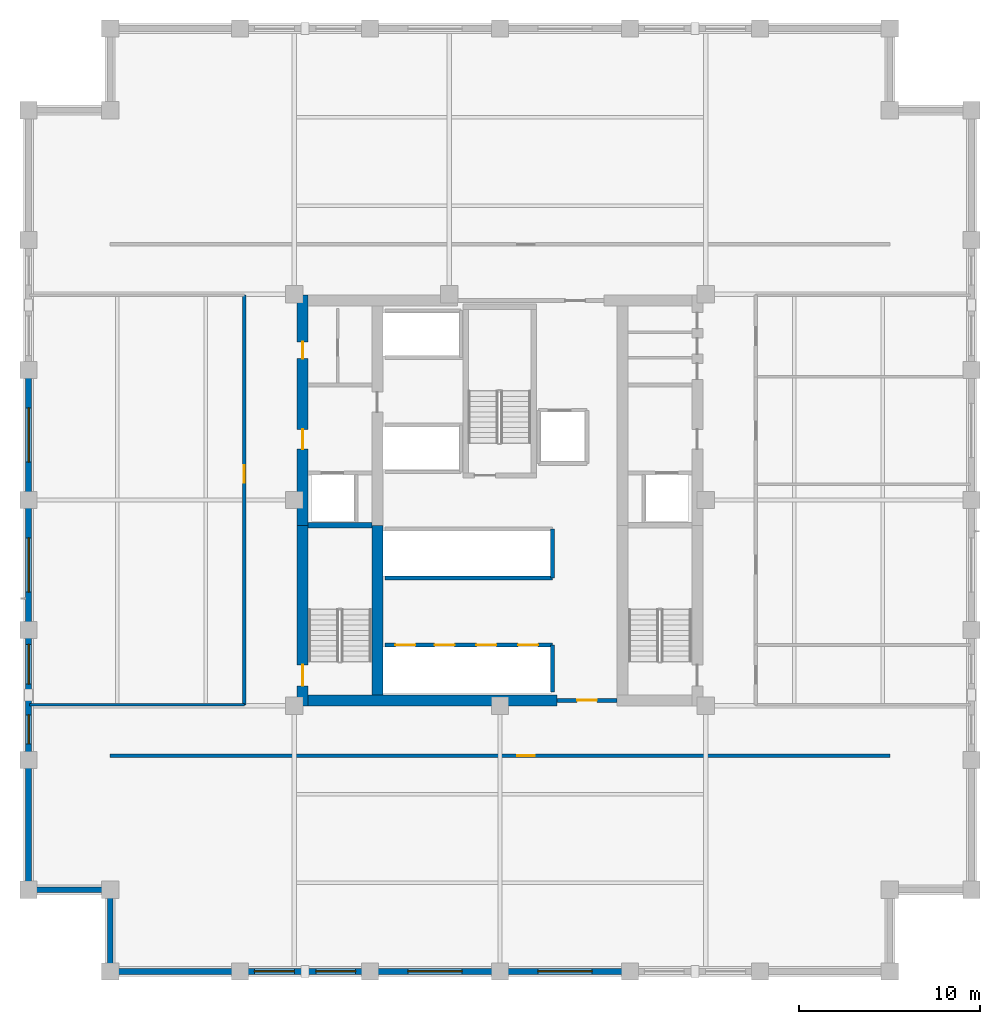
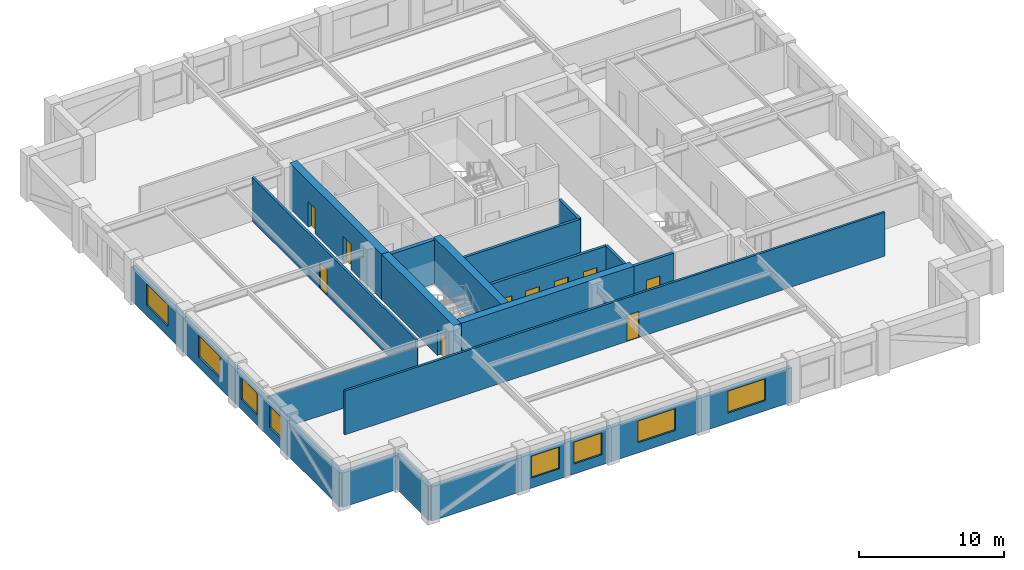
# One storey, part 5 of 9: 23 walls, 10 doors, 8 windows, 18 openings.
"""IFC4 building model written with IfcOpenShell, lengths in metres."""

from ifc_helpers import new_model, si_unit, direction, frame, frame_2d, origin, place, context, subcontext, project, spatial, rectangle, extrude, material, layer, layer_set, type_object, element, fill, save


model = new_model("IFC4")

# Units and contexts
model_context = context("Model", 3, precision=1e-05, world=origin(), true_north=direction((0.0, 1.0)))
body_context = subcontext(model_context, "Body", "Model", "MODEL_VIEW")
ifc_project = project(units=[si_unit("LENGTHUNIT", "METRE"), si_unit("AREAUNIT", "SQUARE_METRE"), si_unit("VOLUMEUNIT", "CUBIC_METRE"), si_unit("PLANEANGLEUNIT", "RADIAN"), si_unit("MASSUNIT", "GRAM", prefix="KILO")], contexts=[model_context])

# Site, building, storey
site_placement = place(None, origin())
site = spatial("IfcSite", under=ifc_project, at=site_placement, CompositionType="ELEMENT")
building_placement = place(site_placement, origin())
building = spatial("IfcBuilding", under=site, at=building_placement, Name="Nhamokura Convention Tower", CompositionType="ELEMENT")
storey_placement = place(building_placement, frame((0.0, 0.0, 149.10009765625)))
storey = spatial("IfcBuildingStorey", under=building, at=storey_placement, Name="L36", CompositionType="ELEMENT", Elevation=149.10009765625)

# Wall
ifc_material_1 = material(Name="Bronze-pigmented precast concrete C45/55", Category="concrete")
ifc_layer_1 = layer(ifc_material_1, 0.320068359375)
ifc_layer_set_1 = layer_set([ifc_layer_1], Name="BronzePrecastSpandrel_320")
wall_type_1 = type_object("IfcWallType", Name="BronzePrecastSpandrel_320", PredefinedType="USERDEFINED", material=ifc_layer_set_1)
wall_1_placement = place(storey_placement, frame((17.666748046875, 6.0, 0.0), z_axis=(0.0, 0.0, 1.0), x_axis=(-1.0, 0.0, 0.0)))
element("IfcWall", 1, at=wall_1_placement, inside=storey, type_object=wall_type_1, Name="L36 Braced-Bay Precast Wall SOUTH 0", ObjectType="SPANDREL_WALL", PredefinedType="USERDEFINED", context=body_context, shape_type="SweptSolid", body=[
    extrude(rectangle(XDim=7.166748046875, YDim=0.320068359375, at=frame_2d((3.58349609375, 0.0))), origin(), (0.0, 0.0, 1.0), 2.885009765625),
])

# Wall, openings, windows
wall_2_placement = place(storey_placement, frame((24.833251953125, 6.0, 0.0), z_axis=(0.0, 0.0, 1.0), x_axis=(-1.0, 0.0, 0.0)))
wall_2 = element("IfcWall", 2, at=wall_2_placement, inside=storey, type_object=wall_type_1, Name="L36 Masonry-Frame Wall SOUTH 1", ObjectType="SPANDREL_WALL", PredefinedType="USERDEFINED", context=body_context, shape_type="SweptSolid", body=[
    extrude(rectangle(XDim=7.16650390625, YDim=0.320068359375, at=frame_2d((3.583251953125, 0.0))), origin(), (0.0, 0.0, 1.0), 2.885009765625),
])
opening_1_placement = place(wall_2_placement, frame((0.791748046875, 0.0, 0.85009765625)))
opening_1 = element("IfcOpeningElement", 3, at=opening_1_placement, cuts=wall_2, Name="Opening W-06", PredefinedType="OPENING", context=body_context, shape_type="SweptSolid", body=[
    extrude(rectangle(XDim=2.199951171875, YDim=1.8349609375, at=frame_2d((1.10009765625, 0.91748046875))), frame((0.0, 0.169921875, 0.0), z_axis=(0.0, -1.0, 0.0), x_axis=(1.0, 0.0, 0.0)), (0.0, 0.0, 1.0), 0.340087890625),
])
opening_2_placement = place(wall_2_placement, frame((4.175048828125, 0.0, 0.85009765625)))
opening_2 = element("IfcOpeningElement", 4, at=opening_2_placement, cuts=wall_2, Name="Opening W-06", PredefinedType="OPENING", context=body_context, shape_type="SweptSolid", body=[
    extrude(rectangle(XDim=2.199951171875, YDim=1.8349609375, at=frame_2d((1.10009765625, 0.91748046875))), frame((0.0, 0.169921875, 0.0), z_axis=(0.0, -1.0, 0.0), x_axis=(1.0, 0.0, 0.0)), (0.0, 0.0, 1.0), 0.340087890625),
])
ifc_material_2 = material(Name="Solar-control bronze low-E double glass", Category="glass")
window_type_1 = type_object("IfcWindowType", Name="OfficeModuleWindow_Z2_2200", PartitioningType="SINGLE_PANEL", PredefinedType="WINDOW", material=ifc_material_2)
window_1_placement = place(opening_1_placement, origin())
window_1 = element("IfcWindow", 5, at=window_1_placement, inside=storey, type_object=window_type_1, Name="L36 Facade Window SOUTH 1-1", OverallHeight=1.8349609375, OverallWidth=2.199951171875, PartitioningType="SINGLE_PANEL", PredefinedType="WINDOW", context=body_context, shape_type="SweptSolid", body=[
    extrude(rectangle(XDim=2.199951171875, YDim=1.8349609375, at=frame_2d((1.10009765625, 0.91748046875))), frame((0.0, 0.030029296875, 0.0), z_axis=(0.0, -1.0, 0.0), x_axis=(1.0, 0.0, 0.0)), (0.0, 0.0, 1.0), 0.06005859375),
])
fill(opening_1, window_1)
window_2_placement = place(opening_2_placement, origin())
window_2 = element("IfcWindow", 6, at=window_2_placement, inside=storey, type_object=window_type_1, Name="L36 Facade Window SOUTH 1-2", OverallHeight=1.8349609375, OverallWidth=2.199951171875, PartitioningType="SINGLE_PANEL", PredefinedType="WINDOW", context=body_context, shape_type="SweptSolid", body=[
    extrude(rectangle(XDim=2.199951171875, YDim=1.8349609375, at=frame_2d((1.10009765625, 0.91748046875))), frame((0.0, 0.030029296875, 0.0), z_axis=(0.0, -1.0, 0.0), x_axis=(1.0, 0.0, 0.0)), (0.0, 0.0, 1.0), 0.06005859375),
])
fill(opening_2, window_2)

# Wall, opening, window
wall_3_placement = place(storey_placement, frame((32.0, 6.0, 0.0), z_axis=(0.0, 0.0, 1.0), x_axis=(-1.0, 0.0, 0.0)))
wall_3 = element("IfcWall", 7, at=wall_3_placement, inside=storey, type_object=wall_type_1, Name="L36 Masonry-Frame Wall SOUTH 2", ObjectType="SPANDREL_WALL", PredefinedType="USERDEFINED", context=body_context, shape_type="SweptSolid", body=[
    extrude(rectangle(XDim=7.166748046875, YDim=0.320068359375, at=frame_2d((3.58349609375, 0.0))), origin(), (0.0, 0.0, 1.0), 2.885009765625),
])
opening_3_placement = place(wall_3_placement, frame((2.083251953125, 0.0, 0.85009765625)))
opening_3 = element("IfcOpeningElement", 8, at=opening_3_placement, cuts=wall_3, Name="Opening W-05", PredefinedType="OPENING", context=body_context, shape_type="SweptSolid", body=[
    extrude(rectangle(XDim=3.0, YDim=1.8349609375, at=frame_2d((1.5, 0.91748046875))), frame((0.0, 0.169921875, 0.0), z_axis=(0.0, -1.0, 0.0), x_axis=(1.0, 0.0, 0.0)), (0.0, 0.0, 1.0), 0.340087890625),
])
ifc_material_3 = material(Name="Solar-control bronze low-E double glass", Category="glass")
window_type_2 = type_object("IfcWindowType", Name="OfficeModuleWindow_Z2_3000", PartitioningType="DOUBLE_PANEL_VERTICAL", PredefinedType="WINDOW", material=ifc_material_3)
window_3_placement = place(opening_3_placement, origin())
window_3 = element("IfcWindow", 9, at=window_3_placement, inside=storey, type_object=window_type_2, Name="L36 Facade Window SOUTH 2", OverallHeight=1.8349609375, OverallWidth=3.0, PartitioningType="SINGLE_PANEL", PredefinedType="WINDOW", context=body_context, shape_type="SweptSolid", body=[
    extrude(rectangle(XDim=3.0, YDim=1.8349609375, at=frame_2d((1.5, 0.91748046875))), frame((0.0, 0.030029296875, 0.0), z_axis=(0.0, -1.0, 0.0), x_axis=(1.0, 0.0, 0.0)), (0.0, 0.0, 1.0), 0.06005859375),
])
fill(opening_3, window_3)

wall_4_placement = place(storey_placement, frame((39.166748046875, 6.0, 0.0), z_axis=(0.0, 0.0, 1.0), x_axis=(-1.0, 0.0, 0.0)))
wall_4 = element("IfcWall", 10, at=wall_4_placement, inside=storey, type_object=wall_type_1, Name="L36 Masonry-Frame Wall SOUTH 3", ObjectType="SPANDREL_WALL", PredefinedType="USERDEFINED", context=body_context, shape_type="SweptSolid", body=[
    extrude(rectangle(XDim=7.166748046875, YDim=0.320068359375, at=frame_2d((3.58349609375, 0.0))), origin(), (0.0, 0.0, 1.0), 2.885009765625),
])
opening_4_placement = place(wall_4_placement, frame((2.083251953125, 0.0, 0.85009765625)))
opening_4 = element("IfcOpeningElement", 11, at=opening_4_placement, cuts=wall_4, Name="Opening W-05", PredefinedType="OPENING", context=body_context, shape_type="SweptSolid", body=[
    extrude(rectangle(XDim=3.0, YDim=1.8349609375, at=frame_2d((1.5, 0.91748046875))), frame((0.0, 0.169921875, 0.0), z_axis=(0.0, -1.0, 0.0), x_axis=(1.0, 0.0, 0.0)), (0.0, 0.0, 1.0), 0.340087890625),
])
window_4_placement = place(opening_4_placement, origin())
window_4 = element("IfcWindow", 12, at=window_4_placement, inside=storey, type_object=window_type_2, Name="L36 Facade Window SOUTH 3", OverallHeight=1.8349609375, OverallWidth=3.0, PartitioningType="SINGLE_PANEL", PredefinedType="WINDOW", context=body_context, shape_type="SweptSolid", body=[
    extrude(rectangle(XDim=3.0, YDim=1.8349609375, at=frame_2d((1.5, 0.91748046875))), frame((0.0, 0.030029296875, 0.0), z_axis=(0.0, -1.0, 0.0), x_axis=(1.0, 0.0, 0.0)), (0.0, 0.0, 1.0), 0.06005859375),
])
fill(opening_4, window_4)

# Wall
wall_5_placement = place(storey_placement, frame((6.0, 10.5, 0.0), z_axis=(0.0, 0.0, 1.0), x_axis=(0.0, 1.0, 0.0)))
element("IfcWall", 13, at=wall_5_placement, inside=storey, type_object=wall_type_1, Name="L36 Braced-Bay Precast Wall WEST 0", ObjectType="SPANDREL_WALL", PredefinedType="USERDEFINED", context=body_context, shape_type="SweptSolid", body=[
    extrude(rectangle(XDim=7.166748046875, YDim=0.320068359375, at=frame_2d((3.58349609375, 0.0))), origin(), (0.0, 0.0, 1.0), 2.885009765625),
])

# Wall, openings, windows
wall_6_placement = place(storey_placement, frame((6.0, 17.666748046875, 0.0), z_axis=(0.0, 0.0, 1.0), x_axis=(0.0, 1.0, 0.0)))
wall_6 = element("IfcWall", 14, at=wall_6_placement, inside=storey, type_object=wall_type_1, Name="L36 Masonry-Frame Wall WEST 1", ObjectType="SPANDREL_WALL", PredefinedType="USERDEFINED", context=body_context, shape_type="SweptSolid", body=[
    extrude(rectangle(XDim=7.16650390625, YDim=0.320068359375, at=frame_2d((3.583251953125, 0.0))), origin(), (0.0, 0.0, 1.0), 2.885009765625),
])
opening_5_placement = place(wall_6_placement, frame((0.879150390625, 0.0, 0.85009765625)))
opening_5 = element("IfcOpeningElement", 15, at=opening_5_placement, cuts=wall_6, Name="Opening W-11", PredefinedType="OPENING", context=body_context, shape_type="SweptSolid", body=[
    extrude(rectangle(XDim=1.60009765625, YDim=1.8349609375, at=frame_2d((0.800048828125, 0.91748046875))), frame((0.0, 0.169921875, 0.0), z_axis=(0.0, -1.0, 0.0), x_axis=(1.0, 0.0, 0.0)), (0.0, 0.0, 1.0), 0.340087890625),
])
opening_6_placement = place(wall_6_placement, frame((4.175048828125, 0.0, 0.85009765625)))
opening_6 = element("IfcOpeningElement", 16, at=opening_6_placement, cuts=wall_6, Name="Opening W-06", PredefinedType="OPENING", context=body_context, shape_type="SweptSolid", body=[
    extrude(rectangle(XDim=2.199951171875, YDim=1.8349609375, at=frame_2d((1.10009765625, 0.91748046875))), frame((0.0, 0.169921875, 0.0), z_axis=(0.0, -1.0, 0.0), x_axis=(1.0, 0.0, 0.0)), (0.0, 0.0, 1.0), 0.340087890625),
])
ifc_material_4 = material(Name="Solar-control bronze low-E double glass", Category="glass")
window_type_3 = type_object("IfcWindowType", Name="NotchCornerWindow_1600", PartitioningType="SINGLE_PANEL", PredefinedType="WINDOW", material=ifc_material_4)
window_5_placement = place(opening_5_placement, origin())
window_5 = element("IfcWindow", 17, at=window_5_placement, inside=storey, type_object=window_type_3, Name="L36 Facade Window WEST 1-1", OverallHeight=1.8349609375, OverallWidth=1.60009765625, PartitioningType="SINGLE_PANEL", PredefinedType="WINDOW", context=body_context, shape_type="SweptSolid", body=[
    extrude(rectangle(XDim=1.60009765625, YDim=1.8349609375, at=frame_2d((0.800048828125, 0.91748046875))), frame((0.0, 0.030029296875, 0.0), z_axis=(0.0, -1.0, 0.0), x_axis=(1.0, 0.0, 0.0)), (0.0, 0.0, 1.0), 0.06005859375),
])
fill(opening_5, window_5)
window_6_placement = place(opening_6_placement, origin())
window_6 = element("IfcWindow", 18, at=window_6_placement, inside=storey, type_object=window_type_1, Name="L36 Facade Window WEST 1-2", OverallHeight=1.8349609375, OverallWidth=2.199951171875, PartitioningType="SINGLE_PANEL", PredefinedType="WINDOW", context=body_context, shape_type="SweptSolid", body=[
    extrude(rectangle(XDim=2.199951171875, YDim=1.8349609375, at=frame_2d((1.10009765625, 0.91748046875))), frame((0.0, 0.030029296875, 0.0), z_axis=(0.0, -1.0, 0.0), x_axis=(1.0, 0.0, 0.0)), (0.0, 0.0, 1.0), 0.06005859375),
])
fill(opening_6, window_6)

# Wall, opening, window
wall_7_placement = place(storey_placement, frame((6.0, 24.833251953125, 0.0), z_axis=(0.0, 0.0, 1.0), x_axis=(0.0, 1.0, 0.0)))
wall_7 = element("IfcWall", 19, at=wall_7_placement, inside=storey, type_object=wall_type_1, Name="L36 Masonry-Frame Wall WEST 2", ObjectType="SPANDREL_WALL", PredefinedType="USERDEFINED", context=body_context, shape_type="SweptSolid", body=[
    extrude(rectangle(XDim=7.166748046875, YDim=0.320068359375, at=frame_2d((3.58349609375, 0.0))), origin(), (0.0, 0.0, 1.0), 2.885009765625),
])
opening_7_placement = place(wall_7_placement, frame((2.083251953125, 0.0, 0.85009765625)))
opening_7 = element("IfcOpeningElement", 20, at=opening_7_placement, cuts=wall_7, Name="Opening W-05", PredefinedType="OPENING", context=body_context, shape_type="SweptSolid", body=[
    extrude(rectangle(XDim=3.0, YDim=1.8349609375, at=frame_2d((1.5, 0.91748046875))), frame((0.0, 0.169921875, 0.0), z_axis=(0.0, -1.0, 0.0), x_axis=(1.0, 0.0, 0.0)), (0.0, 0.0, 1.0), 0.340087890625),
])
window_7_placement = place(opening_7_placement, origin())
window_7 = element("IfcWindow", 21, at=window_7_placement, inside=storey, type_object=window_type_2, Name="L36 Facade Window WEST 2", OverallHeight=1.8349609375, OverallWidth=3.0, PartitioningType="SINGLE_PANEL", PredefinedType="WINDOW", context=body_context, shape_type="SweptSolid", body=[
    extrude(rectangle(XDim=3.0, YDim=1.8349609375, at=frame_2d((1.5, 0.91748046875))), frame((0.0, 0.030029296875, 0.0), z_axis=(0.0, -1.0, 0.0), x_axis=(1.0, 0.0, 0.0)), (0.0, 0.0, 1.0), 0.06005859375),
])
fill(opening_7, window_7)

wall_8_placement = place(storey_placement, frame((6.0, 32.0, 0.0), z_axis=(0.0, 0.0, 1.0), x_axis=(0.0, 1.0, 0.0)))
wall_8 = element("IfcWall", 22, at=wall_8_placement, inside=storey, type_object=wall_type_1, Name="L36 Masonry-Frame Wall WEST 3", ObjectType="SPANDREL_WALL", PredefinedType="USERDEFINED", context=body_context, shape_type="SweptSolid", body=[
    extrude(rectangle(XDim=7.166748046875, YDim=0.320068359375, at=frame_2d((3.58349609375, 0.0))), origin(), (0.0, 0.0, 1.0), 2.885009765625),
])
opening_8_placement = place(wall_8_placement, frame((2.083251953125, 0.0, 0.85009765625)))
opening_8 = element("IfcOpeningElement", 23, at=opening_8_placement, cuts=wall_8, Name="Opening W-05", PredefinedType="OPENING", context=body_context, shape_type="SweptSolid", body=[
    extrude(rectangle(XDim=3.0, YDim=1.8349609375, at=frame_2d((1.5, 0.91748046875))), frame((0.0, 0.169921875, 0.0), z_axis=(0.0, -1.0, 0.0), x_axis=(1.0, 0.0, 0.0)), (0.0, 0.0, 1.0), 0.340087890625),
])
window_8_placement = place(opening_8_placement, origin())
window_8 = element("IfcWindow", 24, at=window_8_placement, inside=storey, type_object=window_type_2, Name="L36 Facade Window WEST 3", OverallHeight=1.8349609375, OverallWidth=3.0, PartitioningType="SINGLE_PANEL", PredefinedType="WINDOW", context=body_context, shape_type="SweptSolid", body=[
    extrude(rectangle(XDim=3.0, YDim=1.8349609375, at=frame_2d((1.5, 0.91748046875))), frame((0.0, 0.030029296875, 0.0), z_axis=(0.0, -1.0, 0.0), x_axis=(1.0, 0.0, 0.0)), (0.0, 0.0, 1.0), 0.06005859375),
])
fill(opening_8, window_8)

# Walls
for number, where, z_axis, x_axis, name in (
    (25, (10.5, 6.0, 0.0), (0.0, 0.0, 1.0), (0.0, 1.0, 0.0), "L36 Notched Corner Wall SW1"),
    (26, (10.5, 10.5, 0.0), (0.0, 0.0, 1.0), (-1.0, 0.0, 0.0), "L36 Notched Corner Wall SW2"),
):
    element("IfcWall", number, at=place(storey_placement, frame(where, z_axis=z_axis, x_axis=x_axis)), inside=storey, type_object=wall_type_1, Name=name, ObjectType="SPANDREL_WALL", PredefinedType="USERDEFINED", context=body_context, shape_type="SweptSolid", body=[
        extrude(rectangle(XDim=4.5, YDim=0.320068359375, at=frame_2d((2.25, 0.0))), origin(), (0.0, 0.0, 1.0), 2.885009765625),
    ])

# Wall, opening, door
ifc_material_5 = material(Name="Concrete C60/75", Category="concrete")
ifc_layer_2 = layer(ifc_material_5, 0.60009765625)
ifc_layer_set_2 = layer_set([ifc_layer_2], Name="CoreShearWall_600")
wall_type_2 = type_object("IfcWallType", Name="CoreShearWall_600", PredefinedType="SHEAR", material=ifc_layer_set_2)
wall_9_placement = place(storey_placement, frame((21.110107421875, 20.64990234375, 0.0), z_axis=(0.0, 0.0, 1.0), x_axis=(0.0, 1.0, 0.0)))
wall_9 = element("IfcWall", 27, at=wall_9_placement, inside=storey, type_object=wall_type_2, Name="L36 Core Shear Wall CW-WS", PredefinedType="SHEAR", context=body_context, shape_type="SweptSolid", body=[
    extrude(rectangle(XDim=9.9501953125, YDim=0.60009765625, at=frame_2d((4.97509765625, 0.0))), origin(), (0.0, 0.0, 1.0), 3.849853515625),
])
opening_9_placement = place(wall_9_placement, frame((1.10009765625, 0.0, 0.0)))
opening_9 = element("IfcOpeningElement", 28, at=opening_9_placement, cuts=wall_9, Name="Opening D-04", PredefinedType="OPENING", context=body_context, shape_type="SweptSolid", body=[
    extrude(rectangle(XDim=1.14990234375, YDim=2.14990234375, at=frame_2d((0.574951171875, 1.074951171875))), frame((0.0, 0.31005859375, 0.0), z_axis=(0.0, -1.0, 0.0), x_axis=(1.0, 0.0, 0.0)), (0.0, 0.0, 1.0), 0.6201171875),
])
ifc_material_6 = material(Name="Fire-rated steel door", Category="steel")
door_type_1 = type_object("IfcDoorType", Name="StairSmokeDoor_1150", OperationType="NOTDEFINED", PredefinedType="DOOR", material=ifc_material_6)
door_1_placement = place(opening_9_placement, origin())
door_1 = element("IfcDoor", 29, at=door_1_placement, inside=storey, type_object=door_type_1, Name="L36 Core Door INT-L36-D-ST01", OperationType="SINGLE_SWING_LEFT", OverallHeight=2.14990234375, OverallWidth=1.14990234375, PredefinedType="DOOR", context=body_context, shape_type="SweptSolid", body=[
    extrude(rectangle(XDim=1.14990234375, YDim=2.14990234375, at=frame_2d((0.574951171875, 1.074951171875))), frame((0.0, 0.02490234375, 0.0), z_axis=(0.0, -1.0, 0.0), x_axis=(1.0, 0.0, 0.0)), (0.0, 0.0, 1.0), 0.050048828125),
])
fill(opening_9, door_1)

# Wall, openings, doors
wall_10_placement = place(storey_placement, frame((21.110107421875, 30.60009765625, 0.0), z_axis=(0.0, 0.0, 1.0), x_axis=(0.0, 1.0, 0.0)))
wall_10 = element("IfcWall", 30, at=wall_10_placement, inside=storey, type_object=wall_type_2, Name="L36 Core Shear Wall CW-WN", PredefinedType="SHEAR", context=body_context, shape_type="SweptSolid", body=[
    extrude(rectangle(XDim=12.699951171875, YDim=0.60009765625, at=frame_2d((6.35009765625, 0.0))), origin(), (0.0, 0.0, 1.0), 3.849853515625),
])
opening_10_placement = place(wall_10_placement, frame((4.199951171875, 0.0, 0.0)))
opening_10 = element("IfcOpeningElement", 31, at=opening_10_placement, cuts=wall_10, Name="Opening D-05", PredefinedType="OPENING", context=body_context, shape_type="SweptSolid", body=[
    extrude(rectangle(XDim=1.10009765625, YDim=2.14990234375, at=frame_2d((0.550048828125, 1.074951171875))), frame((0.0, 0.31005859375, 0.0), z_axis=(0.0, -1.0, 0.0), x_axis=(1.0, 0.0, 0.0)), (0.0, 0.0, 1.0), 0.6201171875),
])
opening_11_placement = place(wall_10_placement, frame((9.199951171875, 0.0, 0.0)))
opening_11 = element("IfcOpeningElement", 32, at=opening_11_placement, cuts=wall_10, Name="Opening D-10", PredefinedType="OPENING", context=body_context, shape_type="SweptSolid", body=[
    extrude(rectangle(XDim=0.919921875, YDim=2.10009765625, at=frame_2d((0.4599609375, 1.050048828125))), frame((0.0, 0.31005859375, 0.0), z_axis=(0.0, -1.0, 0.0), x_axis=(1.0, 0.0, 0.0)), (0.0, 0.0, 1.0), 0.6201171875),
])
ifc_material_7 = material(Name="Solid oak hardwood", Category="wood")
door_type_2 = type_object("IfcDoorType", Name="AccessibleWCDoor_920", OperationType="NOTDEFINED", PredefinedType="DOOR", material=ifc_material_7)
door_2_placement = place(opening_11_placement, origin())
door_2 = element("IfcDoor", 33, at=door_2_placement, inside=storey, type_object=door_type_2, Name="L36 Core Door INT-L36-D-AWCW", OperationType="SINGLE_SWING_RIGHT", OverallHeight=2.10009765625, OverallWidth=0.919921875, PredefinedType="DOOR", context=body_context, shape_type="SweptSolid", body=[
    extrude(rectangle(XDim=0.919921875, YDim=2.10009765625, at=frame_2d((0.4599609375, 1.050048828125))), frame((0.0, 0.02490234375, 0.0), z_axis=(0.0, -1.0, 0.0), x_axis=(1.0, 0.0, 0.0)), (0.0, 0.0, 1.0), 0.050048828125),
])
fill(opening_11, door_2)
ifc_material_8 = material(Name="Fire-rated steel door", Category="steel")
door_type_3 = type_object("IfcDoorType", Name="FireLobbyDoor_1100", OperationType="NOTDEFINED", PredefinedType="DOOR", material=ifc_material_8)
door_3_placement = place(opening_10_placement, origin())
door_3 = element("IfcDoor", 34, at=door_3_placement, inside=storey, type_object=door_type_3, Name="L36 Core Door INT-L36-D-FFLW", OperationType="SINGLE_SWING_RIGHT", OverallHeight=2.14990234375, OverallWidth=1.10009765625, PredefinedType="DOOR", context=body_context, shape_type="SweptSolid", body=[
    extrude(rectangle(XDim=1.10009765625, YDim=2.14990234375, at=frame_2d((0.550048828125, 1.074951171875))), frame((0.0, 0.02490234375, 0.0), z_axis=(0.0, -1.0, 0.0), x_axis=(1.0, 0.0, 0.0)), (0.0, 0.0, 1.0), 0.050048828125),
])
fill(opening_10, door_3)

# Walls
wall_11_placement = place(storey_placement, frame((21.409912109375, 20.949951171875, 0.0), z_axis=(0.0, 0.0, 1.0), x_axis=(1.0, 0.0, 0.0)))
element("IfcWall", 35, at=wall_11_placement, inside=storey, type_object=wall_type_2, Name="L36 Core Shear Wall CW-S1", PredefinedType="SHEAR", context=body_context, shape_type="SweptSolid", body=[
    extrude(rectangle(XDim=13.739990234375, YDim=0.60009765625, at=frame_2d((6.8701171875, 0.0))), origin(), (0.0, 0.0, 1.0), 3.849853515625),
])
wall_12_placement = place(storey_placement, frame((25.239990234375, 21.25, 0.0), z_axis=(0.0, 0.0, 1.0), x_axis=(0.0, 1.0, 0.0)))
element("IfcWall", 36, at=wall_12_placement, inside=storey, type_object=wall_type_2, Name="L36 Core Shear Wall CW-IWS", PredefinedType="SHEAR", context=body_context, shape_type="SweptSolid", body=[
    extrude(rectangle(XDim=9.35009765625, YDim=0.60009765625, at=frame_2d((4.675048828125, 0.0))), origin(), (0.0, 0.0, 1.0), 3.849853515625),
])

# Wall, opening, door
ifc_material_9 = material(Name="Fire-rated gypsum and masonry partition", Category="masonry")
ifc_layer_3 = layer(ifc_material_9, 0.179931640625)
ifc_layer_set_3 = layer_set([ifc_layer_3], Name="CorridorRatedWall_180")
wall_type_3 = type_object("IfcWallType", Name="CorridorRatedWall_180", PredefinedType="STANDARD", material=ifc_layer_set_3)
wall_13_placement = place(storey_placement, frame((10.5, 17.89990234375, 0.0), z_axis=(0.0, 0.0, 1.0), x_axis=(1.0, 0.0, 0.0)))
wall_13 = element("IfcWall", 37, at=wall_13_placement, inside=storey, type_object=wall_type_3, Name="L36 Wall INT-L36-CW-S00", PredefinedType="STANDARD", context=body_context, shape_type="SweptSolid", body=[
    extrude(rectangle(XDim=43.0, YDim=0.179931640625, at=frame_2d((21.5, 0.0))), origin(), (0.0, 0.0, 1.0), 3.684814453125),
])
opening_12_placement = place(wall_13_placement, frame((22.449951171875, 0.0, 0.0)))
opening_12 = element("IfcOpeningElement", 38, at=opening_12_placement, cuts=wall_13, Name="Opening D-08", PredefinedType="OPENING", context=body_context, shape_type="SweptSolid", body=[
    extrude(rectangle(XDim=0.97998046875, YDim=2.199951171875, at=frame_2d((0.489990234375, 1.10009765625))), frame((0.0, 0.099853515625, 0.0), z_axis=(0.0, -1.0, 0.0), x_axis=(1.0, 0.0, 0.0)), (0.0, 0.0, 1.0), 0.199951171875),
])
ifc_material_10 = material(Name="Solid oak hardwood", Category="wood")
door_type_4 = type_object("IfcDoorType", Name="OfficeEntryDoor_980", OperationType="NOTDEFINED", PredefinedType="DOOR", material=ifc_material_10)
door_4_placement = place(opening_12_placement, origin())
door_4 = element("IfcDoor", 39, at=door_4_placement, inside=storey, type_object=door_type_4, Name="L36 Open Plan Office S01 Door", OperationType="SINGLE_SWING_LEFT", OverallHeight=2.199951171875, OverallWidth=0.97998046875, PredefinedType="DOOR", context=body_context, shape_type="SweptSolid", body=[
    extrude(rectangle(XDim=0.97998046875, YDim=2.199951171875, at=frame_2d((0.489990234375, 1.10009765625))), frame((0.0, 0.02490234375, 0.0), z_axis=(0.0, -1.0, 0.0), x_axis=(1.0, 0.0, 0.0)), (0.0, 0.0, 1.0), 0.050048828125),
])
fill(opening_12, door_4)

wall_14_placement = place(storey_placement, frame((17.89990234375, 20.699951171875, 0.0), z_axis=(0.0, 0.0, 1.0), x_axis=(0.0, 1.0, 0.0)))
wall_14 = element("IfcWall", 40, at=wall_14_placement, inside=storey, type_object=wall_type_3, Name="L36 Wall INT-L36-CW-W00", PredefinedType="STANDARD", context=body_context, shape_type="SweptSolid", body=[
    extrude(rectangle(XDim=22.60009765625, YDim=0.179931640625, at=frame_2d((11.300048828125, 0.0))), origin(), (0.0, 0.0, 1.0), 3.684814453125),
])
opening_13_placement = place(wall_14_placement, frame((12.25, 0.0, 0.0)))
opening_13 = element("IfcOpeningElement", 41, at=opening_13_placement, cuts=wall_14, Name="Opening D-08", PredefinedType="OPENING", context=body_context, shape_type="SweptSolid", body=[
    extrude(rectangle(XDim=0.97998046875, YDim=2.199951171875, at=frame_2d((0.489990234375, 1.10009765625))), frame((0.0, 0.099853515625, 0.0), z_axis=(0.0, -1.0, 0.0), x_axis=(1.0, 0.0, 0.0)), (0.0, 0.0, 1.0), 0.199951171875),
])
door_5_placement = place(opening_13_placement, origin())
door_5 = element("IfcDoor", 42, at=door_5_placement, inside=storey, type_object=door_type_4, Name="L36 Staff Lounge W01 Door", OperationType="SINGLE_SWING_LEFT", OverallHeight=2.199951171875, OverallWidth=0.97998046875, PredefinedType="DOOR", context=body_context, shape_type="SweptSolid", body=[
    extrude(rectangle(XDim=0.97998046875, YDim=2.199951171875, at=frame_2d((0.489990234375, 1.10009765625))), frame((0.0, 0.02490234375, 0.0), z_axis=(0.0, -1.0, 0.0), x_axis=(1.0, 0.0, 0.0)), (0.0, 0.0, 1.0), 0.050048828125),
])
fill(opening_13, door_5)

ifc_material_11 = material(Name="Autoclaved concrete blockwork", Category="masonry")
ifc_layer_4 = layer(ifc_material_11, 0.219970703125)
ifc_layer_set_4 = layer_set([ifc_layer_4], Name="FireLobbyWall_220")
wall_type_4 = type_object("IfcWallType", Name="FireLobbyWall_220", PredefinedType="STANDARD", material=ifc_layer_set_4)
wall_15_placement = place(storey_placement, frame((35.14990234375, 20.949951171875, 0.0), z_axis=(0.0, 0.0, 1.0), x_axis=(1.0, 0.0, 0.0)))
wall_15 = element("IfcWall", 43, at=wall_15_placement, inside=storey, type_object=wall_type_4, Name="L36 Wall INT-L36-SPORT-S", PredefinedType="STANDARD", context=body_context, shape_type="SweptSolid", body=[
    extrude(rectangle(XDim=3.300048828125, YDim=0.219970703125, at=frame_2d((1.64990234375, 0.0))), origin(), (0.0, 0.0, 1.0), 3.684814453125),
])
opening_14_placement = place(wall_15_placement, frame((1.10009765625, 0.0, 0.0)))
opening_14 = element("IfcOpeningElement", 44, at=opening_14_placement, cuts=wall_15, Name="Opening D-05", PredefinedType="OPENING", context=body_context, shape_type="SweptSolid", body=[
    extrude(rectangle(XDim=1.10009765625, YDim=2.14990234375, at=frame_2d((0.550048828125, 1.074951171875))), frame((0.0, 0.119873046875, 0.0), z_axis=(0.0, -1.0, 0.0), x_axis=(1.0, 0.0, 0.0)), (0.0, 0.0, 1.0), 0.239990234375),
])
door_6_placement = place(opening_14_placement, origin())
door_6 = element("IfcDoor", 45, at=door_6_placement, inside=storey, type_object=door_type_3, Name="L36 South Core Lobby Portal Door", OperationType="SINGLE_SWING_LEFT", OverallHeight=2.14990234375, OverallWidth=1.10009765625, PredefinedType="DOOR", context=body_context, shape_type="SweptSolid", body=[
    extrude(rectangle(XDim=1.10009765625, YDim=2.14990234375, at=frame_2d((0.550048828125, 1.074951171875))), frame((0.0, 0.02490234375, 0.0), z_axis=(0.0, -1.0, 0.0), x_axis=(1.0, 0.0, 0.0)), (0.0, 0.0, 1.0), 0.050048828125),
])
fill(opening_14, door_6)

# Wall, openings, doors
wall_16_placement = place(storey_placement, frame((25.64990234375, 24.0, 0.0), z_axis=(0.0, 0.0, 1.0), x_axis=(1.0, 0.0, 0.0)))
wall_16 = element("IfcWall", 46, at=wall_16_placement, inside=storey, type_object=wall_type_4, Name="L36 Wall INT-L36-B1N", PredefinedType="STANDARD", context=body_context, shape_type="SweptSolid", body=[
    extrude(rectangle(XDim=9.25, YDim=0.219970703125, at=frame_2d((4.625, 0.0))), origin(), (0.0, 0.0, 1.0), 3.684814453125),
])
opening_15_placement = place(wall_16_placement, frame((0.580078125, 0.0, 0.0)))
opening_15 = element("IfcOpeningElement", 47, at=opening_15_placement, cuts=wall_16, Name="Opening LD-01", PredefinedType="OPENING", context=body_context, shape_type="SweptSolid", body=[
    extrude(rectangle(XDim=1.10009765625, YDim=2.14990234375, at=frame_2d((0.550048828125, 1.074951171875))), frame((0.0, 0.119873046875, 0.0), z_axis=(0.0, -1.0, 0.0), x_axis=(1.0, 0.0, 0.0)), (0.0, 0.0, 1.0), 0.239990234375),
])
opening_16_placement = place(wall_16_placement, frame((2.75, 0.0, 0.0)))
opening_16 = element("IfcOpeningElement", 48, at=opening_16_placement, cuts=wall_16, Name="Opening LD-01", PredefinedType="OPENING", context=body_context, shape_type="SweptSolid", body=[
    extrude(rectangle(XDim=1.10009765625, YDim=2.14990234375, at=frame_2d((0.550048828125, 1.074951171875))), frame((0.0, 0.119873046875, 0.0), z_axis=(0.0, -1.0, 0.0), x_axis=(1.0, 0.0, 0.0)), (0.0, 0.0, 1.0), 0.239990234375),
])
opening_17_placement = place(wall_16_placement, frame((5.050048828125, 0.0, 0.0)))
opening_17 = element("IfcOpeningElement", 49, at=opening_17_placement, cuts=wall_16, Name="Opening LD-01", PredefinedType="OPENING", context=body_context, shape_type="SweptSolid", body=[
    extrude(rectangle(XDim=1.10009765625, YDim=2.14990234375, at=frame_2d((0.550048828125, 1.074951171875))), frame((0.0, 0.119873046875, 0.0), z_axis=(0.0, -1.0, 0.0), x_axis=(1.0, 0.0, 0.0)), (0.0, 0.0, 1.0), 0.239990234375),
])
opening_18_placement = place(wall_16_placement, frame((7.35009765625, 0.0, 0.0)))
opening_18 = element("IfcOpeningElement", 50, at=opening_18_placement, cuts=wall_16, Name="Opening LD-01", PredefinedType="OPENING", context=body_context, shape_type="SweptSolid", body=[
    extrude(rectangle(XDim=1.10009765625, YDim=2.14990234375, at=frame_2d((0.550048828125, 1.074951171875))), frame((0.0, 0.119873046875, 0.0), z_axis=(0.0, -1.0, 0.0), x_axis=(1.0, 0.0, 0.0)), (0.0, 0.0, 1.0), 0.239990234375),
])
ifc_material_12 = material(Name="Anodised bronze stainless steel", Category="steel")
door_type_5 = type_object("IfcDoorType", Name="LiftLandingDoor_Passenger", OperationType="DOUBLE_DOOR_SLIDING", PredefinedType="DOOR", material=ifc_material_12)
door_7_placement = place(opening_15_placement, origin())
door_7 = element("IfcDoor", 51, at=door_7_placement, inside=storey, type_object=door_type_5, Name="L36 Lift LP-01 Landing Door", OperationType="DOUBLE_DOOR_SLIDING", OverallHeight=2.14990234375, OverallWidth=1.10009765625, PredefinedType="DOOR", context=body_context, shape_type="SweptSolid", body=[
    extrude(rectangle(XDim=1.10009765625, YDim=2.14990234375, at=frame_2d((0.550048828125, 1.074951171875))), frame((0.0, 0.02490234375, 0.0), z_axis=(0.0, -1.0, 0.0), x_axis=(1.0, 0.0, 0.0)), (0.0, 0.0, 1.0), 0.050048828125),
])
fill(opening_15, door_7)
door_8_placement = place(opening_16_placement, origin())
door_8 = element("IfcDoor", 52, at=door_8_placement, inside=storey, type_object=door_type_5, Name="L36 Lift LP-02 Landing Door", OperationType="DOUBLE_DOOR_SLIDING", OverallHeight=2.14990234375, OverallWidth=1.10009765625, PredefinedType="DOOR", context=body_context, shape_type="SweptSolid", body=[
    extrude(rectangle(XDim=1.10009765625, YDim=2.14990234375, at=frame_2d((0.550048828125, 1.074951171875))), frame((0.0, 0.02490234375, 0.0), z_axis=(0.0, -1.0, 0.0), x_axis=(1.0, 0.0, 0.0)), (0.0, 0.0, 1.0), 0.050048828125),
])
fill(opening_16, door_8)
door_9_placement = place(opening_17_placement, origin())
door_9 = element("IfcDoor", 53, at=door_9_placement, inside=storey, type_object=door_type_5, Name="L36 Lift LP-03 Landing Door", OperationType="DOUBLE_DOOR_SLIDING", OverallHeight=2.14990234375, OverallWidth=1.10009765625, PredefinedType="DOOR", context=body_context, shape_type="SweptSolid", body=[
    extrude(rectangle(XDim=1.10009765625, YDim=2.14990234375, at=frame_2d((0.550048828125, 1.074951171875))), frame((0.0, 0.02490234375, 0.0), z_axis=(0.0, -1.0, 0.0), x_axis=(1.0, 0.0, 0.0)), (0.0, 0.0, 1.0), 0.050048828125),
])
fill(opening_17, door_9)
door_10_placement = place(opening_18_placement, origin())
door_10 = element("IfcDoor", 54, at=door_10_placement, inside=storey, type_object=door_type_5, Name="L36 Lift LP-04 Landing Door", OperationType="DOUBLE_DOOR_SLIDING", OverallHeight=2.14990234375, OverallWidth=1.10009765625, PredefinedType="DOOR", context=body_context, shape_type="SweptSolid", body=[
    extrude(rectangle(XDim=1.10009765625, YDim=2.14990234375, at=frame_2d((0.550048828125, 1.074951171875))), frame((0.0, 0.02490234375, 0.0), z_axis=(0.0, -1.0, 0.0), x_axis=(1.0, 0.0, 0.0)), (0.0, 0.0, 1.0), 0.050048828125),
])
fill(opening_18, door_10)

# Walls
wall_17_placement = place(storey_placement, frame((34.89990234375, 21.39990234375, 0.0), z_axis=(0.0, 0.0, 1.0), x_axis=(0.0, 1.0, 0.0)))
element("IfcWall", 55, at=wall_17_placement, inside=storey, type_object=wall_type_4, Name="L36 Wall INT-L36-B1E", PredefinedType="STANDARD", context=body_context, shape_type="SweptSolid", body=[
    extrude(rectangle(XDim=2.60009765625, YDim=0.219970703125, at=frame_2d((1.300048828125, 0.0))), origin(), (0.0, 0.0, 1.0), 3.684814453125),
])
wall_18_placement = place(storey_placement, frame((25.64990234375, 27.699951171875, 0.0), z_axis=(0.0, 0.0, 1.0), x_axis=(1.0, 0.0, 0.0)))
element("IfcWall", 56, at=wall_18_placement, inside=storey, type_object=wall_type_4, Name="L36 Wall INT-L36-B2S", PredefinedType="STANDARD", context=body_context, shape_type="SweptSolid", body=[
    extrude(rectangle(XDim=9.25, YDim=0.219970703125, at=frame_2d((4.625, 0.0))), origin(), (0.0, 0.0, 1.0), 3.684814453125),
])
wall_19_placement = place(storey_placement, frame((34.89990234375, 27.699951171875, 0.0), z_axis=(0.0, 0.0, 1.0), x_axis=(0.0, 1.0, 0.0)))
element("IfcWall", 57, at=wall_19_placement, inside=storey, type_object=wall_type_4, Name="L36 Wall INT-L36-B2E", PredefinedType="STANDARD", context=body_context, shape_type="SweptSolid", body=[
    extrude(rectangle(XDim=2.699951171875, YDim=0.219970703125, at=frame_2d((1.35009765625, 0.0))), origin(), (0.0, 0.0, 1.0), 3.684814453125),
])
ifc_material_13 = material(Name="Acoustic gypsum stud partition", Category="masonry")
ifc_layer_5 = layer(ifc_material_13, 0.14990234375)
ifc_layer_set_5 = layer_set([ifc_layer_5], Name="InteriorPartition_150")
wall_type_5 = type_object("IfcWallType", Name="InteriorPartition_150", PredefinedType="STANDARD", material=ifc_layer_set_5)
wall_20_placement = place(storey_placement, frame((6.06005859375, 20.699951171875, 0.0), z_axis=(0.0, 0.0, 1.0), x_axis=(1.0, 0.0, 0.0)))
element("IfcWall", 58, at=wall_20_placement, inside=storey, type_object=wall_type_5, Name="L36 Wall INT-L36-RWB-W", PredefinedType="STANDARD", context=body_context, shape_type="SweptSolid", body=[
    extrude(rectangle(XDim=11.83984375, YDim=0.14990234375, at=frame_2d((5.919921875, 0.0))), origin(), (0.0, 0.0, 1.0), 3.06494140625),
])
ifc_material_14 = material(Name="Concrete C50/60", Category="concrete")
ifc_layer_6 = layer(ifc_material_14, 0.300048828125)
ifc_layer_set_6 = layer_set([ifc_layer_6], Name="ShaftEnclosureWall_300")
wall_type_6 = type_object("IfcWallType", Name="ShaftEnclosureWall_300", PredefinedType="SHEAR", material=ifc_layer_set_6)
wall_21_placement = place(storey_placement, frame((21.409912109375, 30.60009765625, 0.0), z_axis=(0.0, 0.0, 1.0), x_axis=(1.0, 0.0, 0.0)))
element("IfcWall", 59, at=wall_21_placement, inside=storey, type_object=wall_type_6, Name="L36 Wall INT-L36-ST01-N", PredefinedType="SHEAR", context=body_context, shape_type="SweptSolid", body=[
    extrude(rectangle(XDim=3.530029296875, YDim=0.300048828125, at=frame_2d((1.76513671875, 0.0))), origin(), (0.0, 0.0, 1.0), 3.684814453125),
])

save(model, "model.ifc")
